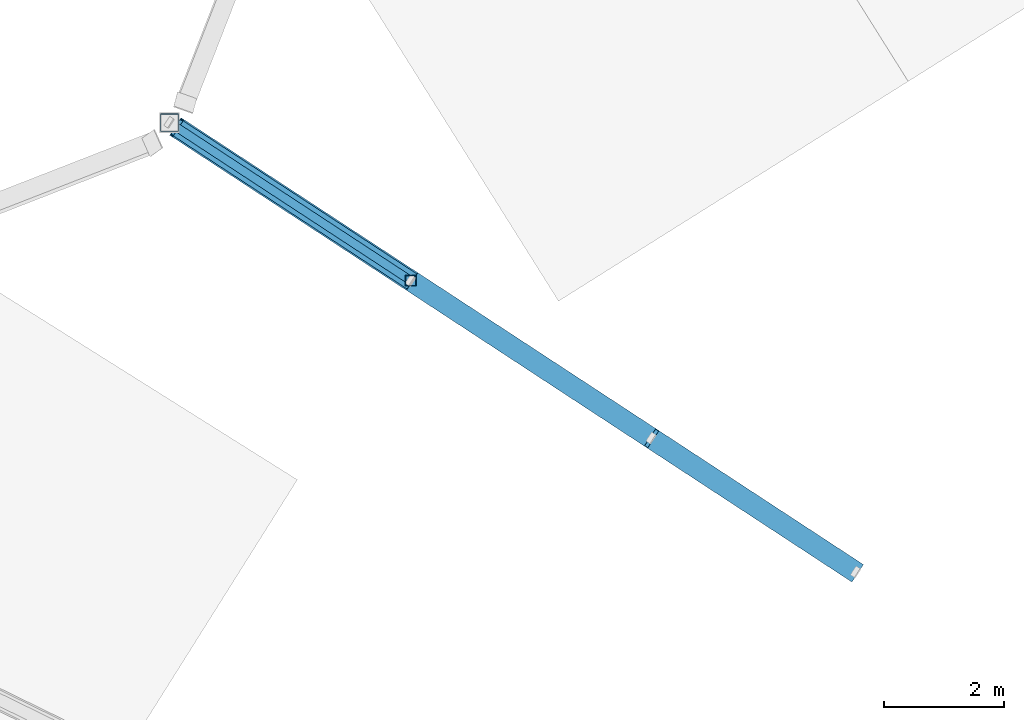
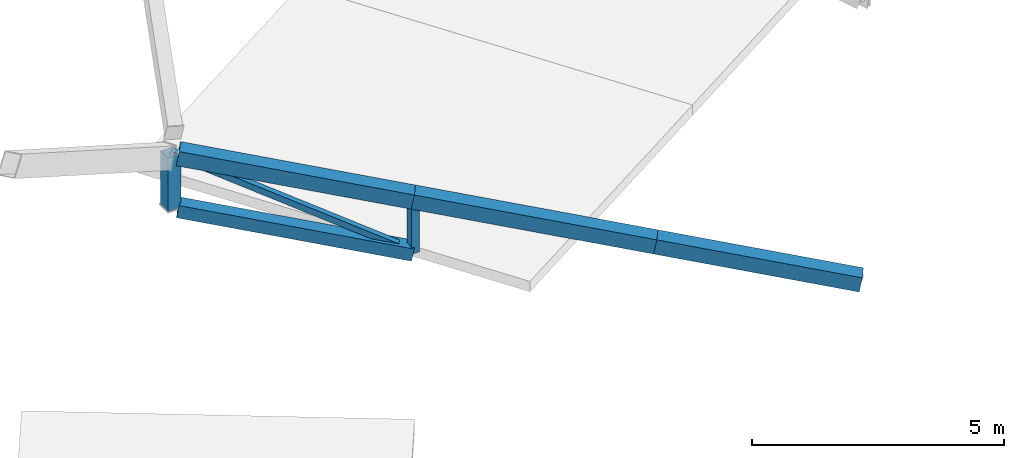
# One storey, part 69 of 188: 7 members.
"""IFC4 building model written with IfcOpenShell, lengths in metres."""

from ifc_helpers import new_model, si_unit, direction, frame, origin, origin_2d, place, context, subcontext, project, spatial, hollow_rectangle, extrude, material, material_profile, profile_set, type_object, element, save


model = new_model("IFC4")

# Units and contexts
model_context = context("Model", 3, precision=1e-05, world=origin(), true_north=direction((0.0, 1.0)))
body_context = subcontext(model_context, "Body", "Model", "MODEL_VIEW")
ifc_project = project(units=[si_unit("LENGTHUNIT", "METRE"), si_unit("AREAUNIT", "SQUARE_METRE"), si_unit("VOLUMEUNIT", "CUBIC_METRE"), si_unit("PLANEANGLEUNIT", "RADIAN"), si_unit("MASSUNIT", "GRAM", prefix="KILO")], contexts=[model_context])

# Site, building, storey
site_placement = place(None, origin())
site = spatial("IfcSite", under=ifc_project, at=site_placement, CompositionType="ELEMENT")
building_placement = place(site_placement, origin())
building = spatial("IfcBuilding", under=site, at=building_placement, Name="Meseta Stadium", CompositionType="ELEMENT")
storey_placement = place(building_placement, frame((0.0, 0.0, 30.0)))
storey = spatial("IfcBuildingStorey", under=building, at=storey_placement, Name="ROOF", CompositionType="ELEMENT", Elevation=30.0)

# Members
ifc_material_1 = material(Name="Steel S355", Category="steel")
ifc_material_profile_1 = material_profile(ifc_material_1, hollow_rectangle(XDim=0.139892578125, YDim=0.139892578125, WallThickness=0.0048828125, at=origin_2d()), Name="SHS 140x140x5")
ifc_profile_set_1 = profile_set([ifc_material_profile_1], Name="Steel S355")
member_type_1 = type_object("IfcMemberType", Name="SHS 140x140x5 diagonal", PredefinedType="BRACE", material=ifc_profile_set_1)
member_1_placement = place(storey_placement, frame((-76.338623046875, 81.728271484375, 1.396484375), z_axis=(-0.761142491034, 0.49847588142, 0.414950483775), x_axis=(-0.547869617127, -0.836563734947, 0.0)))
element("IfcMember", 1, at=member_1_placement, inside=storey, type_object=member_type_1, Name="ROOF TRUSS RT-25 diagonal", PredefinedType="BRACE", context=body_context, shape_type="SweptSolid", body=[
    extrude(hollow_rectangle(XDim=0.139892578125, YDim=0.139892578125, WallThickness=0.0048828125, at=origin_2d()), origin(), (0.0, 0.0, 1.0), 5.29052734375),
])
ifc_material_2 = material(Name="Steel S355", Category="steel")
ifc_material_profile_2 = material_profile(ifc_material_2, hollow_rectangle(XDim=0.179931640625, YDim=0.179931640625, WallThickness=0.00634765625, at=origin_2d()), Name="SHS 180x180x6.3")
ifc_profile_set_2 = profile_set([ifc_material_profile_2], Name="Steel S355")
member_type_2 = type_object("IfcMemberType", Name="SHS 180x180x6.3 post", PredefinedType="POST", material=ifc_profile_set_2)
member_2_placement = place(storey_placement, frame((-76.338623046875, 81.728271484375, 1.396484375), z_axis=(0.0, 0.0, 1.0), x_axis=(1.0, 0.0, 0.0)))
element("IfcMember", 2, at=member_2_placement, inside=storey, type_object=member_type_2, Name="ROOF TRUSS RT-25 post", PredefinedType="POST", context=body_context, shape_type="SweptSolid", body=[
    extrude(hollow_rectangle(XDim=0.179931640625, YDim=0.179931640625, WallThickness=0.00634765625, at=origin_2d()), origin(), (0.0, 0.0, 1.0), 1.300048828125),
])
ifc_material_3 = material(Name="Steel S355", Category="steel")
ifc_material_profile_3 = material_profile(ifc_material_3, hollow_rectangle(XDim=0.300048828125, YDim=0.300048828125, WallThickness=0.010009765625, at=origin_2d()), Name="SHS 300x300x10")
ifc_profile_set_3 = profile_set([ifc_material_profile_3], Name="Steel S355")
member_type_3 = type_object("IfcMemberType", Name="SHS 300x300x10 bottom chord", PredefinedType="CHORD", material=ifc_profile_set_3)
member_3_placement = place(storey_placement, frame((-76.338623046875, 81.728271484375, 1.396484375), z_axis=(-0.822447124175, 0.538644222995, 0.182874626372), x_axis=(-0.54788359923, -0.836554577834, 0.0)))
element("IfcMember", 3, at=member_3_placement, inside=storey, type_object=member_type_3, Name="ROOF TRUSS RT-25 bottom chord", PredefinedType="CHORD", context=body_context, shape_type="SweptSolid", body=[
    extrude(hollow_rectangle(XDim=0.300048828125, YDim=0.300048828125, WallThickness=0.010009765625, at=origin_2d()), origin(), (0.0, 0.0, 1.0), 4.74609375),
])
ifc_material_4 = material(Name="Steel S355", Category="steel")
ifc_material_profile_4 = material_profile(ifc_material_4, hollow_rectangle(XDim=0.300048828125, YDim=0.300048828125, WallThickness=0.010009765625, at=origin_2d()), Name="SHS 300x300x10")
ifc_profile_set_4 = profile_set([ifc_material_profile_4], Name="Steel S355")
member_type_4 = type_object("IfcMemberType", Name="SHS 300x300x10 rim post", PredefinedType="POST", material=ifc_profile_set_4)
member_4_placement = place(storey_placement, frame((-80.365478515625, 84.365478515625, 2.291748046875), z_axis=(0.0, 0.0, 1.0), x_axis=(1.0, 0.0, 0.0)))
element("IfcMember", 4, at=member_4_placement, inside=storey, type_object=member_type_4, Name="ROOF TRUSS RT-25 post", PredefinedType="POST", context=body_context, shape_type="SweptSolid", body=[
    extrude(hollow_rectangle(XDim=0.300048828125, YDim=0.300048828125, WallThickness=0.010009765625, at=origin_2d()), origin(), (0.0, 0.0, 1.0), 1.300048828125),
])
ifc_material_5 = material(Name="Steel S355", Category="steel")
ifc_material_profile_5 = material_profile(ifc_material_5, hollow_rectangle(XDim=0.35009765625, YDim=0.35009765625, WallThickness=0.010009765625, at=origin_2d()), Name="SHS 350x350x10")
ifc_profile_set_5 = profile_set([ifc_material_profile_5], Name="Steel S355")
member_type_5 = type_object("IfcMemberType", Name="SHS 350x350x10 top chord", PredefinedType="CHORD", material=ifc_profile_set_5)
member_5_placement = place(storey_placement, frame((-68.897216796875, 76.854736328125, 1.0419921875), z_axis=(-0.822460438995, 0.538624266904, 0.182873522934), x_axis=(-0.547863186454, -0.836567946391, 0.0)))
element("IfcMember", 5, at=member_5_placement, inside=storey, type_object=member_type_5, Name="ROOF TRUSS RT-25 top chord", PredefinedType="CHORD", context=body_context, shape_type="SweptSolid", body=[
    extrude(hollow_rectangle(XDim=0.35009765625, YDim=0.35009765625, WallThickness=0.010009765625, at=origin_2d()), origin(), (0.0, 0.0, 1.0), 4.15185546875),
])
member_6_placement = place(storey_placement, frame((-72.31201171875, 79.091064453125, 1.80126953125), z_axis=(-0.822443524895, 0.538654881217, 0.182859419499), x_axis=(-0.547892863959, -0.836548510024, 0.0)))
element("IfcMember", 6, at=member_6_placement, inside=storey, type_object=member_type_5, Name="ROOF TRUSS RT-25 top chord", PredefinedType="CHORD", context=body_context, shape_type="SweptSolid", body=[
    extrude(hollow_rectangle(XDim=0.35009765625, YDim=0.35009765625, WallThickness=0.010009765625, at=origin_2d()), origin(), (0.0, 0.0, 1.0), 4.89599609375),
])
member_7_placement = place(storey_placement, frame((-76.338623046875, 81.728271484375, 2.696533203125), z_axis=(-0.822454860244, 0.538649289568, 0.18282490451), x_axis=(-0.54788359923, -0.836554577834, 0.0)))
element("IfcMember", 7, at=member_7_placement, inside=storey, type_object=member_type_5, Name="ROOF TRUSS RT-25 top chord", PredefinedType="CHORD", context=body_context, shape_type="SweptSolid", body=[
    extrude(hollow_rectangle(XDim=0.35009765625, YDim=0.35009765625, WallThickness=0.010009765625, at=origin_2d()), origin(), (0.0, 0.0, 1.0), 4.745849609375),
])

save(model, "model.ifc")
